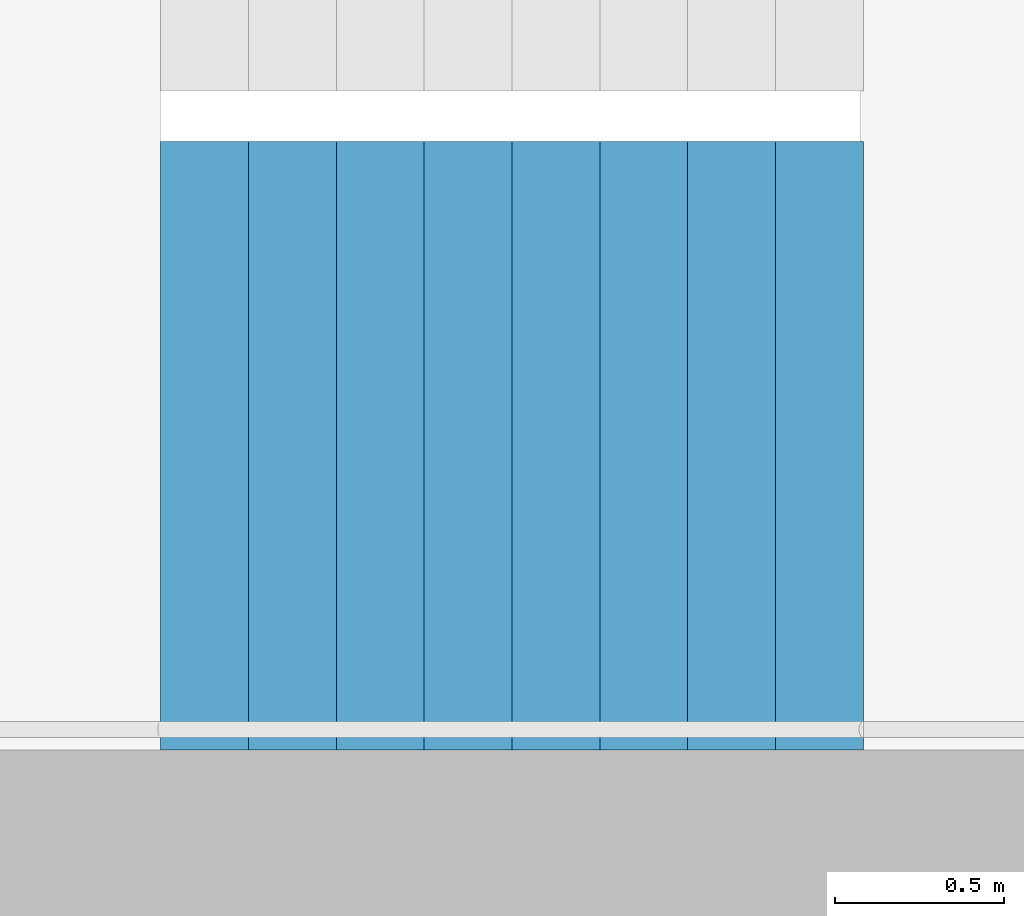
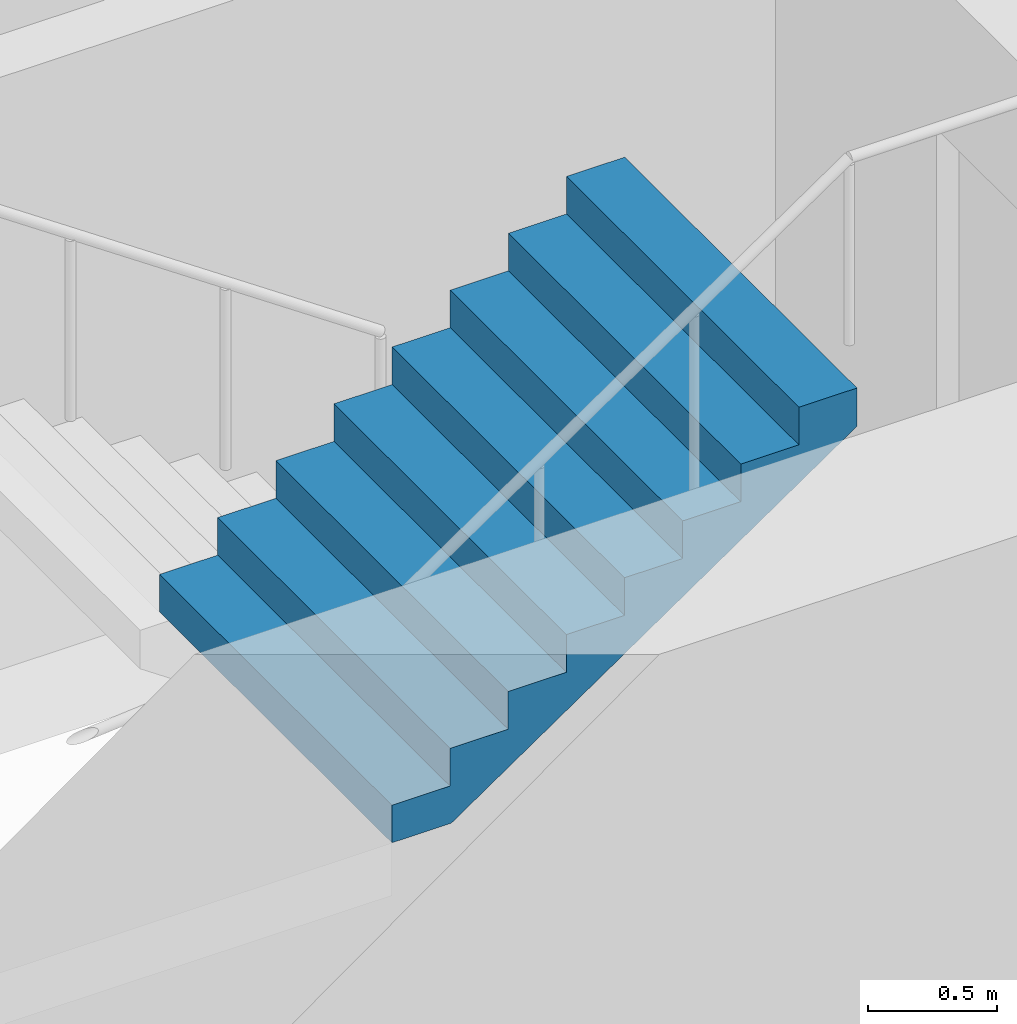
# One storey, part 21 of 29: 1 stair flight, 1 element without a shape of its own.
"""IFC4 building model written with IfcOpenShell, lengths in metres."""

from ifc_helpers import new_model, si_unit, direction, frame, origin, place, context, subcontext, project, spatial, triangles, material, type_object, element, aggregate, save


model = new_model("IFC4")

# Units and contexts
model_context = context("Model", 3, precision=1e-05, world=origin(), true_north=direction((0.0, 1.0)))
body_context = subcontext(model_context, "Body", "Model", "MODEL_VIEW")
ifc_project = project(units=[si_unit("LENGTHUNIT", "METRE"), si_unit("AREAUNIT", "SQUARE_METRE"), si_unit("VOLUMEUNIT", "CUBIC_METRE"), si_unit("PLANEANGLEUNIT", "RADIAN"), si_unit("MASSUNIT", "GRAM", prefix="KILO")], contexts=[model_context])

# Site, building, storey
site_placement = place(None, origin())
site = spatial("IfcSite", under=ifc_project, at=site_placement, CompositionType="ELEMENT")
building_placement = place(site_placement, origin())
building = spatial("IfcBuilding", under=site, at=building_placement, Name="Hakoniwa Tower and Hamabe Station Hall", CompositionType="ELEMENT")
storey_placement = place(building_placement, frame((0.0, 0.0, 55.0)))
storey = spatial("IfcBuildingStorey", under=building, at=storey_placement, Name="L15", CompositionType="ELEMENT", Elevation=55.0)

# Stair, stair flight
ifc_material_1 = material(Name="Concrete C40", Category="concrete")
stair_type = type_object("IfcStairType", Name="ESCAPE STAIR 1800", PredefinedType="HALF_TURN_STAIR", material=ifc_material_1)
stair_placement = place(storey_placement, origin())
stair = element("IfcStair", 1, at=stair_placement, inside=storey, type_object=stair_type, Name="Escape stair ST-2 L15", PredefinedType="HALF_TURN_STAIR")
ifc_material_2 = material(Name="Concrete C40", Category="concrete")
stair_flight_type = type_object("IfcStairFlightType", Name="STAIR FLIGHT 1800", PredefinedType="STRAIGHT", material=ifc_material_2)
stair_flight_placement = place(storey_placement, frame((-25.47998046875, -6.60009765625, 1.60009765625), z_axis=(0.0, 0.0, 1.0), x_axis=(1.0, 0.0, 0.0)))
stair_flight = element("IfcStairFlight", 2, at=stair_flight_placement, type_object=stair_flight_type, Name="ST-2 flight 2", NumberOfRisers=9, NumberOfTreads=8, PredefinedType="STRAIGHT", RiserHeight=0.177777778, TreadLength=0.26, context=body_context, shape_type="Tessellation", body=[
    triangles([(0.0, 0.89990234375, 0.0), (0.260009765625, 0.89990234375, 0.0), (0.265625, 0.89990234375, 0.0), (0.52001953125, 0.89990234375, 0.174072265625), (0.780029296875, 0.89990234375, 0.351806640625), (1.0400390625, 0.89990234375, 0.529541015625), (1.300048828125, 0.89990234375, 0.707275390625), (1.56005859375, 0.89990234375, 0.885009765625), (1.820068359375, 0.89990234375, 1.062744140625), (2.080078125, 0.89990234375, 1.24072265625), (2.080078125, 0.89990234375, 1.422119140625), (1.820068359375, 0.89990234375, 1.422119140625), (1.820068359375, 0.89990234375, 1.244384765625), (1.56005859375, 0.89990234375, 1.244384765625), (1.56005859375, 0.89990234375, 1.066650390625), (1.300048828125, 0.89990234375, 1.066650390625), (1.300048828125, 0.89990234375, 0.888916015625), (1.0400390625, 0.89990234375, 0.888916015625), (1.0400390625, 0.89990234375, 0.711181640625), (0.780029296875, 0.89990234375, 0.711181640625), (0.780029296875, 0.89990234375, 0.533447265625), (0.52001953125, 0.89990234375, 0.533447265625), (0.52001953125, 0.89990234375, 0.35546875), (0.265625, 0.89990234375, 0.35546875), (0.260009765625, 0.89990234375, 0.35546875), (0.260009765625, 0.89990234375, 0.177734375), (0.0, 0.89990234375, 0.177734375), (0.0, 0.06005859375, 0.0), (0.260009765625, 0.06005859375, 0.0), (0.265625, 0.06005859375, 0.0), (0.52001953125, 0.06005859375, 0.174072265625), (0.780029296875, 0.06005859375, 0.351806640625), (1.0400390625, 0.06005859375, 0.529541015625), (1.300048828125, 0.06005859375, 0.707275390625), (1.56005859375, 0.06005859375, 0.885009765625), (1.820068359375, 0.06005859375, 1.062744140625), (2.080078125, 0.06005859375, 1.24072265625), (2.080078125, 0.06005859375, 1.422119140625), (1.820068359375, 0.06005859375, 1.422119140625), (1.820068359375, 0.06005859375, 1.244384765625), (1.56005859375, 0.06005859375, 1.244384765625), (1.56005859375, 0.06005859375, 1.066650390625), (1.300048828125, 0.06005859375, 1.066650390625), (1.300048828125, 0.06005859375, 0.888916015625), (1.0400390625, 0.06005859375, 0.888916015625), (1.0400390625, 0.06005859375, 0.711181640625), (0.780029296875, 0.06005859375, 0.711181640625), (0.780029296875, 0.06005859375, 0.533447265625), (0.52001953125, 0.06005859375, 0.533447265625), (0.52001953125, 0.06005859375, 0.35546875), (0.265625, 0.06005859375, 0.35546875), (0.260009765625, 0.06005859375, 0.35546875), (0.260009765625, 0.06005859375, 0.177734375), (0.0, 0.06005859375, 0.177734375), (0.0, 0.04296875, 0.0), (0.260009765625, 0.04296875, 0.0), (0.265625, 0.04296875, 0.0), (0.52001953125, 0.04296875, 0.174072265625), (0.780029296875, 0.04296875, 0.351806640625), (1.0400390625, 0.04296875, 0.529541015625), (1.300048828125, 0.04296875, 0.707275390625), (1.56005859375, 0.04296875, 0.885009765625), (1.820068359375, 0.04296875, 1.062744140625), (2.080078125, 0.04296875, 1.24072265625), (2.080078125, 0.04296875, 1.422119140625), (1.820068359375, 0.04296875, 1.422119140625), (1.820068359375, 0.04296875, 1.244384765625), (1.56005859375, 0.04296875, 1.244384765625), (1.56005859375, 0.04296875, 1.066650390625), (1.300048828125, 0.04296875, 1.066650390625), (1.300048828125, 0.04296875, 0.888916015625), (1.0400390625, 0.04296875, 0.888916015625), (1.0400390625, 0.04296875, 0.711181640625), (0.780029296875, 0.04296875, 0.711181640625), (0.780029296875, 0.04296875, 0.533447265625), (0.52001953125, 0.04296875, 0.533447265625), (0.52001953125, 0.04296875, 0.35546875), (0.265625, 0.04296875, 0.35546875), (0.260009765625, 0.04296875, 0.35546875), (0.260009765625, 0.04296875, 0.177734375), (0.0, 0.04296875, 0.177734375), (0.0, 0.025634765625, 0.0), (0.260009765625, 0.025634765625, 0.0), (0.265625, 0.025634765625, 0.0), (0.52001953125, 0.025634765625, 0.174072265625), (0.780029296875, 0.025634765625, 0.351806640625), (1.0400390625, 0.025634765625, 0.529541015625), (1.300048828125, 0.025634765625, 0.707275390625), (1.56005859375, 0.025634765625, 0.885009765625), (1.820068359375, 0.025634765625, 1.062744140625), (2.080078125, 0.025634765625, 1.24072265625), (2.080078125, 0.025634765625, 1.422119140625), (1.820068359375, 0.025634765625, 1.422119140625), (1.820068359375, 0.025634765625, 1.244384765625), (1.56005859375, 0.025634765625, 1.244384765625), (1.56005859375, 0.025634765625, 1.066650390625), (1.300048828125, 0.025634765625, 1.066650390625), (1.300048828125, 0.025634765625, 0.888916015625), (1.0400390625, 0.025634765625, 0.888916015625), (1.0400390625, 0.025634765625, 0.711181640625), (0.780029296875, 0.025634765625, 0.711181640625), (0.780029296875, 0.025634765625, 0.533447265625), (0.52001953125, 0.025634765625, 0.533447265625), (0.52001953125, 0.025634765625, 0.35546875), (0.265625, 0.025634765625, 0.35546875), (0.260009765625, 0.025634765625, 0.35546875), (0.260009765625, 0.025634765625, 0.177734375), (0.0, 0.025634765625, 0.177734375), (0.0, 0.008544921875, 0.0), (0.260009765625, 0.008544921875, 0.0), (0.265625, 0.008544921875, 0.0), (0.52001953125, 0.008544921875, 0.174072265625), (0.780029296875, 0.008544921875, 0.351806640625), (1.0400390625, 0.008544921875, 0.529541015625), (1.300048828125, 0.008544921875, 0.707275390625), (1.56005859375, 0.008544921875, 0.885009765625), (1.820068359375, 0.008544921875, 1.062744140625), (2.080078125, 0.008544921875, 1.24072265625), (2.080078125, 0.008544921875, 1.422119140625), (1.820068359375, 0.008544921875, 1.422119140625), (1.820068359375, 0.008544921875, 1.244384765625), (1.56005859375, 0.008544921875, 1.244384765625), (1.56005859375, 0.008544921875, 1.066650390625), (1.300048828125, 0.008544921875, 1.066650390625), (1.300048828125, 0.008544921875, 0.888916015625), (1.0400390625, 0.008544921875, 0.888916015625), (1.0400390625, 0.008544921875, 0.711181640625), (0.780029296875, 0.008544921875, 0.711181640625), (0.780029296875, 0.008544921875, 0.533447265625), (0.52001953125, 0.008544921875, 0.533447265625), (0.52001953125, 0.008544921875, 0.35546875), (0.265625, 0.008544921875, 0.35546875), (0.260009765625, 0.008544921875, 0.35546875), (0.260009765625, 0.008544921875, 0.177734375), (0.0, 0.008544921875, 0.177734375), (0.0, -0.008544921875, 0.0), (0.260009765625, -0.008544921875, 0.0), (0.265625, -0.008544921875, 0.0), (0.52001953125, -0.008544921875, 0.174072265625), (0.780029296875, -0.008544921875, 0.351806640625), (1.0400390625, -0.008544921875, 0.529541015625), (1.300048828125, -0.008544921875, 0.707275390625), (1.56005859375, -0.008544921875, 0.885009765625), (1.820068359375, -0.008544921875, 1.062744140625), (2.080078125, -0.008544921875, 1.24072265625), (2.080078125, -0.008544921875, 1.422119140625), (1.820068359375, -0.008544921875, 1.422119140625), (1.820068359375, -0.008544921875, 1.244384765625), (1.56005859375, -0.008544921875, 1.244384765625), (1.56005859375, -0.008544921875, 1.066650390625), (1.300048828125, -0.008544921875, 1.066650390625), (1.300048828125, -0.008544921875, 0.888916015625), (1.0400390625, -0.008544921875, 0.888916015625), (1.0400390625, -0.008544921875, 0.711181640625), (0.780029296875, -0.008544921875, 0.711181640625), (0.780029296875, -0.008544921875, 0.533447265625), (0.52001953125, -0.008544921875, 0.533447265625), (0.52001953125, -0.008544921875, 0.35546875), (0.265625, -0.008544921875, 0.35546875), (0.260009765625, -0.008544921875, 0.35546875), (0.260009765625, -0.008544921875, 0.177734375), (0.0, -0.008544921875, 0.177734375), (0.0, -0.025634765625, 0.0), (0.260009765625, -0.025634765625, 0.0), (0.265625, -0.025634765625, 0.0), (0.52001953125, -0.025634765625, 0.174072265625), (0.780029296875, -0.025634765625, 0.351806640625), (1.0400390625, -0.025634765625, 0.529541015625), (1.300048828125, -0.025634765625, 0.707275390625), (1.56005859375, -0.025634765625, 0.885009765625), (1.820068359375, -0.025634765625, 1.062744140625), (2.080078125, -0.025634765625, 1.24072265625), (2.080078125, -0.025634765625, 1.422119140625), (1.820068359375, -0.025634765625, 1.422119140625), (1.820068359375, -0.025634765625, 1.244384765625), (1.56005859375, -0.025634765625, 1.244384765625), (1.56005859375, -0.025634765625, 1.066650390625), (1.300048828125, -0.025634765625, 1.066650390625), (1.300048828125, -0.025634765625, 0.888916015625), (1.0400390625, -0.025634765625, 0.888916015625), (1.0400390625, -0.025634765625, 0.711181640625), (0.780029296875, -0.025634765625, 0.711181640625), (0.780029296875, -0.025634765625, 0.533447265625), (0.52001953125, -0.025634765625, 0.533447265625), (0.52001953125, -0.025634765625, 0.35546875), (0.265625, -0.025634765625, 0.35546875), (0.260009765625, -0.025634765625, 0.35546875), (0.260009765625, -0.025634765625, 0.177734375), (0.0, -0.025634765625, 0.177734375), (0.0, -0.04296875, 0.0), (0.260009765625, -0.04296875, 0.0), (0.265625, -0.04296875, 0.0), (0.52001953125, -0.04296875, 0.174072265625), (0.780029296875, -0.04296875, 0.351806640625), (1.0400390625, -0.04296875, 0.529541015625), (1.300048828125, -0.04296875, 0.707275390625), (1.56005859375, -0.04296875, 0.885009765625), (1.820068359375, -0.04296875, 1.062744140625), (2.080078125, -0.04296875, 1.24072265625), (2.080078125, -0.04296875, 1.422119140625), (1.820068359375, -0.04296875, 1.422119140625), (1.820068359375, -0.04296875, 1.244384765625), (1.56005859375, -0.04296875, 1.244384765625), (1.56005859375, -0.04296875, 1.066650390625), (1.300048828125, -0.04296875, 1.066650390625), (1.300048828125, -0.04296875, 0.888916015625), (1.0400390625, -0.04296875, 0.888916015625), (1.0400390625, -0.04296875, 0.711181640625), (0.780029296875, -0.04296875, 0.711181640625), (0.780029296875, -0.04296875, 0.533447265625), (0.52001953125, -0.04296875, 0.533447265625), (0.52001953125, -0.04296875, 0.35546875), (0.265625, -0.04296875, 0.35546875), (0.260009765625, -0.04296875, 0.35546875), (0.260009765625, -0.04296875, 0.177734375), (0.0, -0.04296875, 0.177734375), (0.0, -0.06005859375, 0.0), (0.260009765625, -0.06005859375, 0.0), (0.265625, -0.06005859375, 0.0), (0.52001953125, -0.06005859375, 0.174072265625), (0.780029296875, -0.06005859375, 0.351806640625), (1.0400390625, -0.06005859375, 0.529541015625), (1.300048828125, -0.06005859375, 0.707275390625), (1.56005859375, -0.06005859375, 0.885009765625), (1.820068359375, -0.06005859375, 1.062744140625), (2.080078125, -0.06005859375, 1.24072265625), (2.080078125, -0.06005859375, 1.422119140625), (1.820068359375, -0.06005859375, 1.422119140625), (1.820068359375, -0.06005859375, 1.244384765625), (1.56005859375, -0.06005859375, 1.244384765625), (1.56005859375, -0.06005859375, 1.066650390625), (1.300048828125, -0.06005859375, 1.066650390625), (1.300048828125, -0.06005859375, 0.888916015625), (1.0400390625, -0.06005859375, 0.888916015625), (1.0400390625, -0.06005859375, 0.711181640625), (0.780029296875, -0.06005859375, 0.711181640625), (0.780029296875, -0.06005859375, 0.533447265625), (0.52001953125, -0.06005859375, 0.533447265625), (0.52001953125, -0.06005859375, 0.35546875), (0.265625, -0.06005859375, 0.35546875), (0.260009765625, -0.06005859375, 0.35546875), (0.260009765625, -0.06005859375, 0.177734375), (0.0, -0.06005859375, 0.177734375), (0.0, -0.89990234375, 0.0), (0.260009765625, -0.89990234375, 0.0), (0.265625, -0.89990234375, 0.0), (0.52001953125, -0.89990234375, 0.174072265625), (0.780029296875, -0.89990234375, 0.351806640625), (1.0400390625, -0.89990234375, 0.529541015625), (1.300048828125, -0.89990234375, 0.707275390625), (1.56005859375, -0.89990234375, 0.885009765625), (1.820068359375, -0.89990234375, 1.062744140625), (2.080078125, -0.89990234375, 1.24072265625), (2.080078125, -0.89990234375, 1.422119140625), (1.820068359375, -0.89990234375, 1.422119140625), (1.820068359375, -0.89990234375, 1.244384765625), (1.56005859375, -0.89990234375, 1.244384765625), (1.56005859375, -0.89990234375, 1.066650390625), (1.300048828125, -0.89990234375, 1.066650390625), (1.300048828125, -0.89990234375, 0.888916015625), (1.0400390625, -0.89990234375, 0.888916015625), (1.0400390625, -0.89990234375, 0.711181640625), (0.780029296875, -0.89990234375, 0.711181640625), (0.780029296875, -0.89990234375, 0.533447265625), (0.52001953125, -0.89990234375, 0.533447265625), (0.52001953125, -0.89990234375, 0.35546875), (0.265625, -0.89990234375, 0.35546875), (0.260009765625, -0.89990234375, 0.35546875), (0.260009765625, -0.89990234375, 0.177734375), (0.0, -0.89990234375, 0.177734375)], [[2, 27, 26], [245, 269, 270], [2, 1, 27], [245, 270, 244], [3, 25, 24], [246, 267, 268], [3, 26, 25], [246, 268, 269], [3, 2, 26], [246, 269, 245], [4, 24, 23], [247, 266, 267], [4, 3, 24], [247, 267, 246], [5, 22, 21], [248, 264, 265], [5, 23, 22], [248, 265, 266], [5, 4, 23], [248, 266, 247], [6, 20, 19], [249, 262, 263], [6, 21, 20], [249, 263, 264], [6, 5, 21], [249, 264, 248], [7, 18, 17], [250, 260, 261], [7, 19, 18], [250, 261, 262], [7, 6, 19], [250, 262, 249], [8, 16, 15], [251, 258, 259], [8, 17, 16], [251, 259, 260], [8, 7, 17], [251, 260, 250], [9, 14, 13], [252, 256, 257], [9, 15, 14], [252, 257, 258], [9, 8, 15], [252, 258, 251], [10, 12, 11], [253, 254, 255], [10, 13, 12], [253, 255, 256], [10, 9, 13], [253, 256, 252], [1, 2, 29], [1, 29, 28], [28, 29, 56], [28, 56, 55], [55, 56, 83], [55, 83, 82], [82, 83, 110], [82, 110, 109], [109, 110, 137], [109, 137, 136], [136, 137, 164], [136, 164, 163], [163, 164, 191], [163, 191, 190], [190, 191, 218], [190, 218, 217], [217, 218, 245], [217, 245, 244], [2, 3, 30], [2, 30, 29], [29, 30, 57], [29, 57, 56], [56, 57, 84], [56, 84, 83], [83, 84, 111], [83, 111, 110], [110, 111, 138], [110, 138, 137], [137, 138, 165], [137, 165, 164], [164, 165, 192], [164, 192, 191], [191, 192, 219], [191, 219, 218], [218, 219, 246], [218, 246, 245], [3, 4, 31], [3, 31, 30], [30, 31, 58], [30, 58, 57], [57, 58, 85], [57, 85, 84], [84, 85, 112], [84, 112, 111], [111, 112, 139], [111, 139, 138], [138, 139, 166], [138, 166, 165], [165, 166, 193], [165, 193, 192], [192, 193, 220], [192, 220, 219], [219, 220, 247], [219, 247, 246], [4, 5, 32], [4, 32, 31], [31, 32, 59], [31, 59, 58], [58, 59, 86], [58, 86, 85], [85, 86, 113], [85, 113, 112], [112, 113, 140], [112, 140, 139], [139, 140, 167], [139, 167, 166], [166, 167, 194], [166, 194, 193], [193, 194, 221], [193, 221, 220], [220, 221, 248], [220, 248, 247], [5, 6, 33], [5, 33, 32], [32, 33, 60], [32, 60, 59], [59, 60, 87], [59, 87, 86], [86, 87, 114], [86, 114, 113], [113, 114, 141], [113, 141, 140], [140, 141, 168], [140, 168, 167], [167, 168, 195], [167, 195, 194], [194, 195, 222], [194, 222, 221], [221, 222, 249], [221, 249, 248], [6, 7, 34], [6, 34, 33], [33, 34, 61], [33, 61, 60], [60, 61, 88], [60, 88, 87], [87, 88, 115], [87, 115, 114], [114, 115, 142], [114, 142, 141], [141, 142, 169], [141, 169, 168], [168, 169, 196], [168, 196, 195], [195, 196, 223], [195, 223, 222], [222, 223, 250], [222, 250, 249], [7, 8, 35], [7, 35, 34], [34, 35, 62], [34, 62, 61], [61, 62, 89], [61, 89, 88], [88, 89, 116], [88, 116, 115], [115, 116, 143], [115, 143, 142], [142, 143, 170], [142, 170, 169], [169, 170, 197], [169, 197, 196], [196, 197, 224], [196, 224, 223], [223, 224, 251], [223, 251, 250], [8, 9, 36], [8, 36, 35], [35, 36, 63], [35, 63, 62], [62, 63, 90], [62, 90, 89], [89, 90, 117], [89, 117, 116], [116, 117, 144], [116, 144, 143], [143, 144, 171], [143, 171, 170], [170, 171, 198], [170, 198, 197], [197, 198, 225], [197, 225, 224], [224, 225, 252], [224, 252, 251], [9, 10, 37], [9, 37, 36], [36, 37, 64], [36, 64, 63], [63, 64, 91], [63, 91, 90], [90, 91, 118], [90, 118, 117], [117, 118, 145], [117, 145, 144], [144, 145, 172], [144, 172, 171], [171, 172, 199], [171, 199, 198], [198, 199, 226], [198, 226, 225], [225, 226, 253], [225, 253, 252], [10, 11, 38], [10, 38, 37], [37, 38, 65], [37, 65, 64], [64, 65, 92], [64, 92, 91], [91, 92, 119], [91, 119, 118], [118, 119, 146], [118, 146, 145], [145, 146, 173], [145, 173, 172], [172, 173, 200], [172, 200, 199], [199, 200, 227], [199, 227, 226], [226, 227, 254], [226, 254, 253], [11, 12, 39], [11, 39, 38], [38, 39, 66], [38, 66, 65], [65, 66, 93], [65, 93, 92], [92, 93, 120], [92, 120, 119], [119, 120, 147], [119, 147, 146], [146, 147, 174], [146, 174, 173], [173, 174, 201], [173, 201, 200], [200, 201, 228], [200, 228, 227], [227, 228, 255], [227, 255, 254], [12, 13, 40], [12, 40, 39], [39, 40, 67], [39, 67, 66], [66, 67, 94], [66, 94, 93], [93, 94, 121], [93, 121, 120], [120, 121, 148], [120, 148, 147], [147, 148, 175], [147, 175, 174], [174, 175, 202], [174, 202, 201], [201, 202, 229], [201, 229, 228], [228, 229, 256], [228, 256, 255], [13, 14, 41], [13, 41, 40], [40, 41, 68], [40, 68, 67], [67, 68, 95], [67, 95, 94], [94, 95, 122], [94, 122, 121], [121, 122, 149], [121, 149, 148], [148, 149, 176], [148, 176, 175], [175, 176, 203], [175, 203, 202], [202, 203, 230], [202, 230, 229], [229, 230, 257], [229, 257, 256], [14, 15, 42], [14, 42, 41], [41, 42, 69], [41, 69, 68], [68, 69, 96], [68, 96, 95], [95, 96, 123], [95, 123, 122], [122, 123, 150], [122, 150, 149], [149, 150, 177], [149, 177, 176], [176, 177, 204], [176, 204, 203], [203, 204, 231], [203, 231, 230], [230, 231, 258], [230, 258, 257], [15, 16, 43], [15, 43, 42], [42, 43, 70], [42, 70, 69], [69, 70, 97], [69, 97, 96], [96, 97, 124], [96, 124, 123], [123, 124, 151], [123, 151, 150], [150, 151, 178], [150, 178, 177], [177, 178, 205], [177, 205, 204], [204, 205, 232], [204, 232, 231], [231, 232, 259], [231, 259, 258], [16, 17, 44], [16, 44, 43], [43, 44, 71], [43, 71, 70], [70, 71, 98], [70, 98, 97], [97, 98, 125], [97, 125, 124], [124, 125, 152], [124, 152, 151], [151, 152, 179], [151, 179, 178], [178, 179, 206], [178, 206, 205], [205, 206, 233], [205, 233, 232], [232, 233, 260], [232, 260, 259], [17, 18, 45], [17, 45, 44], [44, 45, 72], [44, 72, 71], [71, 72, 99], [71, 99, 98], [98, 99, 126], [98, 126, 125], [125, 126, 153], [125, 153, 152], [152, 153, 180], [152, 180, 179], [179, 180, 207], [179, 207, 206], [206, 207, 234], [206, 234, 233], [233, 234, 261], [233, 261, 260], [18, 19, 46], [18, 46, 45], [45, 46, 73], [45, 73, 72], [72, 73, 100], [72, 100, 99], [99, 100, 127], [99, 127, 126], [126, 127, 154], [126, 154, 153], [153, 154, 181], [153, 181, 180], [180, 181, 208], [180, 208, 207], [207, 208, 235], [207, 235, 234], [234, 235, 262], [234, 262, 261], [19, 20, 47], [19, 47, 46], [46, 47, 74], [46, 74, 73], [73, 74, 101], [73, 101, 100], [100, 101, 128], [100, 128, 127], [127, 128, 155], [127, 155, 154], [154, 155, 182], [154, 182, 181], [181, 182, 209], [181, 209, 208], [208, 209, 236], [208, 236, 235], [235, 236, 263], [235, 263, 262], [20, 21, 48], [20, 48, 47], [47, 48, 75], [47, 75, 74], [74, 75, 102], [74, 102, 101], [101, 102, 129], [101, 129, 128], [128, 129, 156], [128, 156, 155], [155, 156, 183], [155, 183, 182], [182, 183, 210], [182, 210, 209], [209, 210, 237], [209, 237, 236], [236, 237, 264], [236, 264, 263], [21, 22, 49], [21, 49, 48], [48, 49, 76], [48, 76, 75], [75, 76, 103], [75, 103, 102], [102, 103, 130], [102, 130, 129], [129, 130, 157], [129, 157, 156], [156, 157, 184], [156, 184, 183], [183, 184, 211], [183, 211, 210], [210, 211, 238], [210, 238, 237], [237, 238, 265], [237, 265, 264], [22, 23, 50], [22, 50, 49], [49, 50, 77], [49, 77, 76], [76, 77, 104], [76, 104, 103], [103, 104, 131], [103, 131, 130], [130, 131, 158], [130, 158, 157], [157, 158, 185], [157, 185, 184], [184, 185, 212], [184, 212, 211], [211, 212, 239], [211, 239, 238], [238, 239, 266], [238, 266, 265], [23, 24, 51], [23, 51, 50], [50, 51, 78], [50, 78, 77], [77, 78, 105], [77, 105, 104], [104, 105, 132], [104, 132, 131], [131, 132, 159], [131, 159, 158], [158, 159, 186], [158, 186, 185], [185, 186, 213], [185, 213, 212], [212, 213, 240], [212, 240, 239], [239, 240, 267], [239, 267, 266], [24, 25, 52], [24, 52, 51], [51, 52, 79], [51, 79, 78], [78, 79, 106], [78, 106, 105], [105, 106, 133], [105, 133, 132], [132, 133, 160], [132, 160, 159], [159, 160, 187], [159, 187, 186], [186, 187, 214], [186, 214, 213], [213, 214, 241], [213, 241, 240], [240, 241, 268], [240, 268, 267], [25, 26, 53], [25, 53, 52], [52, 53, 80], [52, 80, 79], [79, 80, 107], [79, 107, 106], [106, 107, 134], [106, 134, 133], [133, 134, 161], [133, 161, 160], [160, 161, 188], [160, 188, 187], [187, 188, 215], [187, 215, 214], [214, 215, 242], [214, 242, 241], [241, 242, 269], [241, 269, 268], [26, 27, 54], [26, 54, 53], [53, 54, 81], [53, 81, 80], [80, 81, 108], [80, 108, 107], [107, 108, 135], [107, 135, 134], [134, 135, 162], [134, 162, 161], [161, 162, 189], [161, 189, 188], [188, 189, 216], [188, 216, 215], [215, 216, 243], [215, 243, 242], [242, 243, 270], [242, 270, 269], [27, 1, 28], [27, 28, 54], [54, 28, 55], [54, 55, 81], [81, 55, 82], [81, 82, 108], [108, 82, 109], [108, 109, 135], [135, 109, 136], [135, 136, 162], [162, 136, 163], [162, 163, 189], [189, 163, 190], [189, 190, 216], [216, 190, 217], [216, 217, 243], [243, 217, 244], [243, 244, 270]], closed=True),
])
aggregate(stair, [stair_flight])

save(model, "model.ifc")
